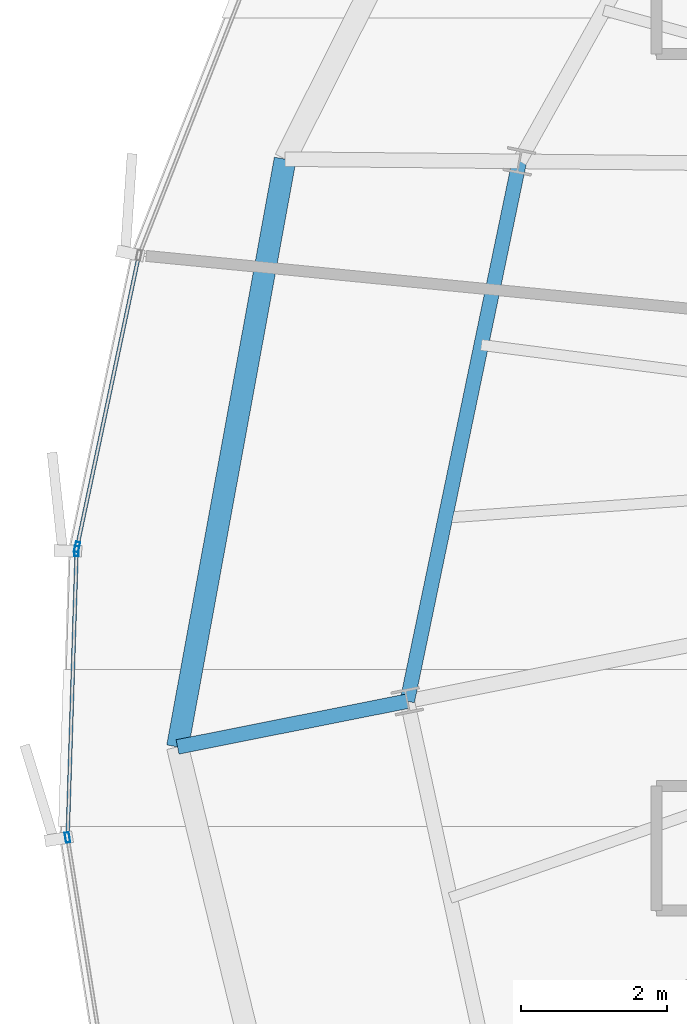
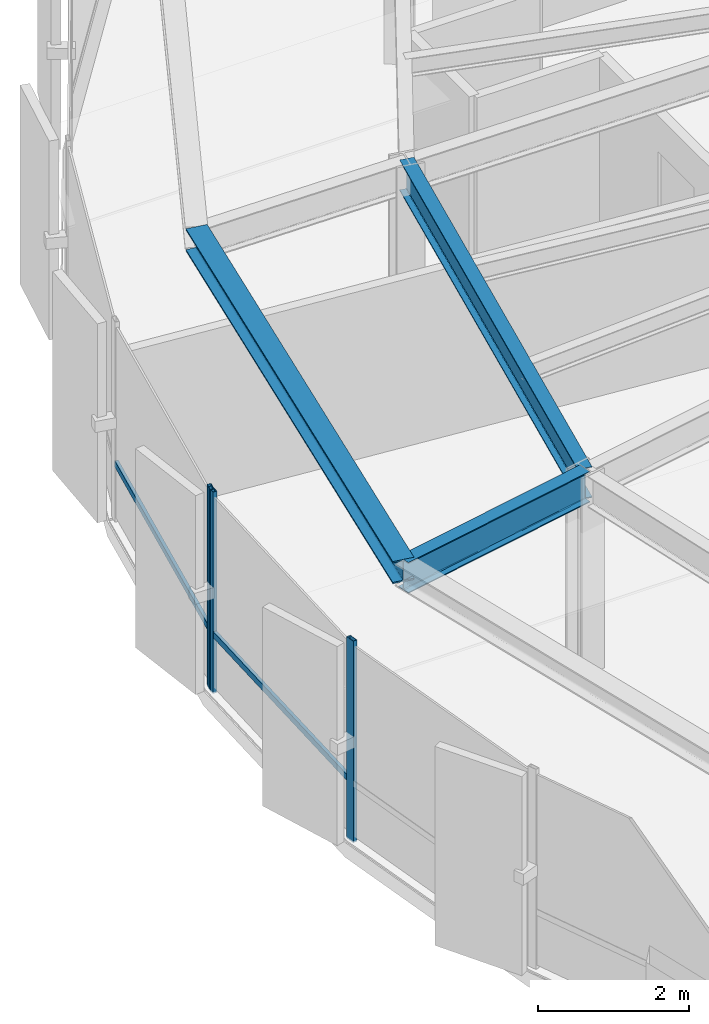
# One storey, part 9 of 34: 5 members, 3 beams, 2 elements without a shape of their own.
"""IFC4 building model written with IfcOpenShell, lengths in metres."""

from ifc_helpers import new_model, si_unit, direction, frame, origin, origin_2d, place, context, subcontext, project, spatial, hollow_rectangle, i_section, extrude, source, transform, mapped, material, layer, layer_set, material_profile, profile_set, type_object, element, aggregate, save


model = new_model("IFC4")

# Units and contexts
model_context = context("Model", 3, precision=1e-05, world=origin(), true_north=direction((0.0, 1.0)))
body_context = subcontext(model_context, "Body", "Model", "MODEL_VIEW")
ifc_project = project(units=[si_unit("LENGTHUNIT", "METRE"), si_unit("AREAUNIT", "SQUARE_METRE"), si_unit("VOLUMEUNIT", "CUBIC_METRE"), si_unit("PLANEANGLEUNIT", "RADIAN"), si_unit("MASSUNIT", "GRAM", prefix="KILO"), si_unit("THERMODYNAMICTEMPERATUREUNIT", "KELVIN")], contexts=[model_context])

# Site, building, storey
site_placement = place(None, origin())
site = spatial("IfcSite", under=ifc_project, at=site_placement, CompositionType="ELEMENT")
building_placement = place(site_placement, origin())
building = spatial("IfcBuilding", under=site, at=building_placement, Name="Kethvar Cultural Tower", CompositionType="ELEMENT")
storey_placement = place(building_placement, frame((0.0, 0.0, 190.39990234375)))
storey = spatial("IfcBuildingStorey", under=building, at=storey_placement, Name="L49", CompositionType="ELEMENT", Elevation=190.39990234375)

# Beams
ifc_material_1 = material(Name="Steel S355J2", Category="steel")
ifc_material_profile_1 = material_profile(ifc_material_1, i_section(OverallWidth=0.199951171875, OverallDepth=0.5, WebThickness=0.01025390625, FlangeThickness=0.01611328125, FilletRadius=0.02099609375, at=origin_2d()), Name="Steel S355J2 — IPE500")
ifc_profile_set_1 = profile_set([ifc_material_profile_1], Name="Steel S355J2 — IPE500")
beam_type_1 = type_object("IfcBeamType", Name="BM-IPE500", PredefinedType="BEAM", material=ifc_profile_set_1)
shared_shape_1 = source(origin(), body_context, "Body", "SweptSolid", [
    extrude(i_section(OverallWidth=0.199951171875, OverallDepth=0.5, WebThickness=0.01025390625, FlangeThickness=0.01611328125, FilletRadius=0.02099609375, at=origin_2d()), origin(), (0.0, 0.0, 1.0), 3.199951171875),
])
beam_1_placement = place(storey_placement, frame((27.492919921875, 23.959716796875, 3.008056640625), z_axis=(-0.980770949178, -0.195162356126, 0.0), x_axis=(0.195162356126, -0.980770949178, 0.0)))
element("IfcBeam", 1, at=beam_1_placement, inside=storey, type_object=beam_type_1, Name="L49 Perimeter Cantilever Beam RC-09", PredefinedType="BEAM", context=body_context, shape_type="MappedRepresentation", body=[
    mapped(shared_shape_1, transform((0.0, 0.0, 0.0), scale=1.0)),
])
shared_shape_2 = source(origin(), body_context, "Body", "SweptSolid", [
    extrude(i_section(OverallWidth=0.199951171875, OverallDepth=0.5, WebThickness=0.01025390625, FlangeThickness=0.01611328125, FilletRadius=0.02099609375, at=origin_2d()), origin(), (0.0, 0.0, 1.0), 7.533447265625),
])
beam_2_placement = place(storey_placement, frame((29.02490234375, 31.335693359375, 3.008056640625), z_axis=(-0.203358905185, -0.979104261906, 0.0), x_axis=(0.979104261906, -0.203358905185, 0.0)))
element("IfcBeam", 2, at=beam_2_placement, inside=storey, type_object=beam_type_1, Name="L49 Column Ring Tie Beam CR-08", PredefinedType="BEAM", context=body_context, shape_type="MappedRepresentation", body=[
    mapped(shared_shape_2, transform((0.0, 0.0, 0.0), scale=1.0)),
])
ifc_material_profile_2 = material_profile(ifc_material_1, i_section(OverallWidth=0.300048828125, OverallDepth=0.360107421875, WebThickness=0.012451171875, FlangeThickness=0.0224609375, FilletRadius=0.027099609375, at=origin_2d()), Name="Steel S355J2 — HEB360")
ifc_profile_set_2 = profile_set([ifc_material_profile_2], Name="Steel S355J2 — HEB360")
beam_type_2 = type_object("IfcBeamType", Name="BM-SP360", PredefinedType="SPANDREL", material=ifc_profile_set_2)
shared_shape_3 = source(origin(), body_context, "Body", "SweptSolid", [
    extrude(i_section(OverallWidth=0.300048828125, OverallDepth=0.360107421875, WebThickness=0.012451171875, FlangeThickness=0.0224609375, FilletRadius=0.027099609375, at=origin_2d()), origin(), (0.0, 0.0, 1.0), 8.16455078125),
])
beam_3_placement = place(storey_placement, frame((25.824951171875, 31.3662109375, 3.078125), z_axis=(-0.180103654572, -0.983647636916, 0.0), x_axis=(0.983647636916, -0.180103654572, 0.0)))
element("IfcBeam", 3, at=beam_3_placement, inside=storey, type_object=beam_type_2, Name="L49 Perimeter Spandrel Beam SP-08", PredefinedType="SPANDREL", context=body_context, shape_type="MappedRepresentation", body=[
    mapped(shared_shape_3, transform((0.0, 0.0, 0.0), scale=1.0)),
])

# Curtain wall, member
ifc_material_2 = material(Name="Aluminium 6063-T6", Category="aluminium")
ifc_layer = layer(ifc_material_2, 0.179931640625, Name="Aluminium 6063-T6", Category="aluminium")
ifc_layer_set = layer_set([ifc_layer], Name="Aluminium 6063-T6 (180 mm)")
curtain_wall_type = type_object("IfcCurtainWallType", Name="CW-SYS-04-Z34", PredefinedType="NOTDEFINED", material=ifc_layer_set)
curtain_wall_1_placement = place(storey_placement, origin())
curtain_wall_1 = element("IfcCurtainWall", 4, at=curtain_wall_1_placement, inside=storey, type_object=curtain_wall_type, Name="L49 Curtain Wall Run 03", PredefinedType="NOTDEFINED")
ifc_material_profile_3 = material_profile(ifc_material_2, hollow_rectangle(XDim=0.06005859375, YDim=0.139892578125, WallThickness=0.0048828125, at=origin_2d()), Name="Aluminium 6063-T6 — RHS140x60x5")
ifc_profile_set_3 = profile_set([ifc_material_profile_3], Name="Aluminium 6063-T6 — RHS140x60x5")
member_type_1 = type_object("IfcMemberType", Name="CW-SYS-04-Z34-MUL", PredefinedType="MULLION", material=ifc_profile_set_3)
shared_shape_4 = source(origin(), body_context, "Body", "SweptSolid", [
    extrude(hollow_rectangle(XDim=0.06005859375, YDim=0.139892578125, WallThickness=0.0048828125, at=origin_2d()), origin(), (0.0, 0.0, 1.0), 3.260009765625),
])
member_1_placement = place(storey_placement, frame((22.982666015625, 26.0673828125, 0.0), z_axis=(0.0, 0.0, 1.0), x_axis=(0.978303361227, -0.207177540798, 0.0)))
member_1 = element("IfcMember", 5, at=member_1_placement, type_object=member_type_1, Name="CW-L49-R03 Mullion 7", PredefinedType="MULLION", context=body_context, shape_type="MappedRepresentation", body=[
    mapped(shared_shape_4, transform((0.0, 0.0, 0.0), scale=1.0)),
])

# Curtain wall, members
curtain_wall_2_placement = place(storey_placement, origin())
curtain_wall_2 = element("IfcCurtainWall", 6, at=curtain_wall_2_placement, inside=storey, type_object=curtain_wall_type, Name="L49 Curtain Wall Run 04", PredefinedType="NOTDEFINED")
member_2_placement = place(storey_placement, frame((22.9755859375, 26.009765625, 0.0), z_axis=(0.0, 0.0, 1.0), x_axis=(0.999506011992, -0.031428203754, 0.0)))
member_2 = element("IfcMember", 7, at=member_2_placement, type_object=member_type_1, Name="CW-L49-R04 Mullion 1", PredefinedType="MULLION", context=body_context, shape_type="MappedRepresentation", body=[
    mapped(shared_shape_4, transform((0.0, 0.0, 0.0), scale=1.0)),
])
member_3_placement = place(storey_placement, frame((22.8505859375, 22.098388671875, 0.0), z_axis=(0.0, 0.0, 1.0), x_axis=(0.987504735477, 0.157589331527, 0.0)))
member_3 = element("IfcMember", 8, at=member_3_placement, type_object=member_type_1, Name="CW-L49-R04 Mullion 2", PredefinedType="MULLION", context=body_context, shape_type="MappedRepresentation", body=[
    mapped(shared_shape_4, transform((0.0, 0.0, 0.0), scale=1.0)),
])

# Member
ifc_material_profile_4 = material_profile(ifc_material_2, hollow_rectangle(XDim=0.050048828125, YDim=0.10009765625, WallThickness=0.00390625, at=origin_2d()), Name="Aluminium 6063-T6 — RHS100x50x4")
ifc_profile_set_4 = profile_set([ifc_material_profile_4], Name="Aluminium 6063-T6 — RHS100x50x4")
member_type_2 = type_object("IfcMemberType", Name="CW-SYS-04-Z34-TRN", PredefinedType="USERDEFINED", material=ifc_profile_set_4)
shared_shape_5 = source(origin(), body_context, "Body", "SweptSolid", [
    extrude(hollow_rectangle(XDim=0.050048828125, YDim=0.10009765625, WallThickness=0.00390625, at=origin_2d()), origin(), (0.0, 0.0, 1.0), 4.027099609375),
])
member_4_placement = place(storey_placement, frame((23.81787109375, 30.01123046875, 0.9501953125), z_axis=(-0.207156106755, -0.978307900118, 0.0), x_axis=(0.978307900118, -0.207156106755, 0.0)))
member_4 = element("IfcMember", 9, at=member_4_placement, type_object=member_type_2, Name="CW-L49-R03 Transom 6", ObjectType="TRANSOM", PredefinedType="USERDEFINED", context=body_context, shape_type="MappedRepresentation", body=[
    mapped(shared_shape_5, transform((0.0, 0.0, 0.0), scale=1.0)),
])

aggregate(curtain_wall_1, [member_1, member_4])

shared_shape_6 = source(origin(), body_context, "Body", "SweptSolid", [
    extrude(hollow_rectangle(XDim=0.050048828125, YDim=0.10009765625, WallThickness=0.00390625, at=origin_2d()), origin(), (0.0, 0.0, 1.0), 3.886962890625),
])
member_5_placement = place(storey_placement, frame((22.9755859375, 26.005615234375, 0.9501953125), z_axis=(-0.031405351922, -0.999506730278, 0.0), x_axis=(0.999506730278, -0.031405351922, 0.0)))
member_5 = element("IfcMember", 10, at=member_5_placement, type_object=member_type_2, Name="CW-L49-R04 Transom 1", ObjectType="TRANSOM", PredefinedType="USERDEFINED", context=body_context, shape_type="MappedRepresentation", body=[
    mapped(shared_shape_6, transform((0.0, 0.0, 0.0), scale=1.0)),
])

aggregate(curtain_wall_2, [member_2, member_3, member_5])

save(model, "model.ifc")
